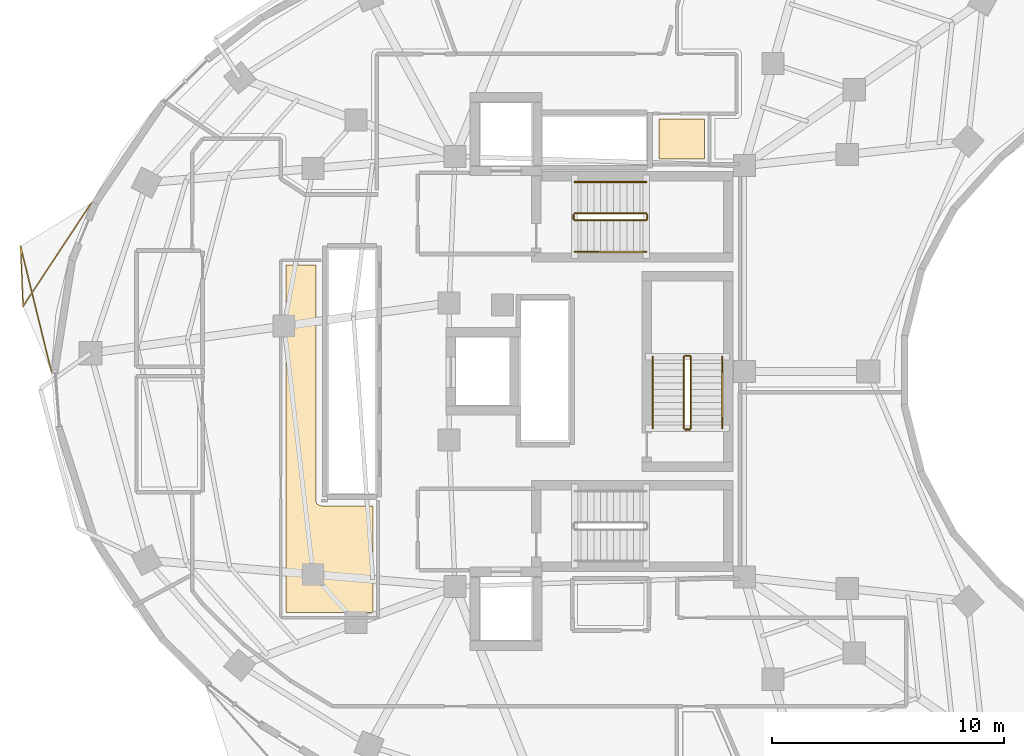
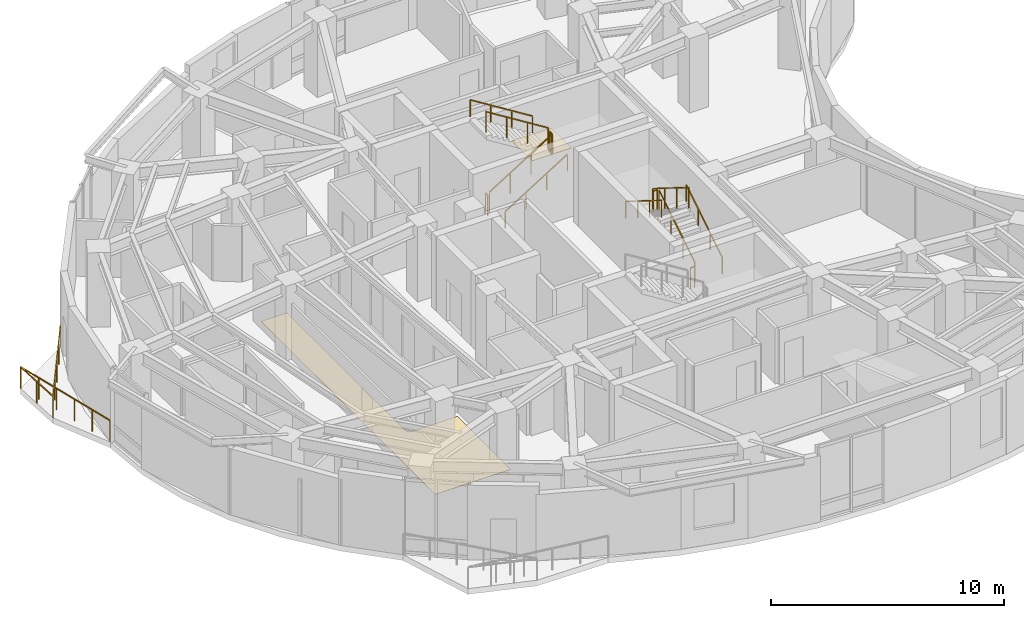
# One storey, part 12 of 13: 13 railings, 2 coverings.
"""IFC4 building model written with IfcOpenShell, lengths in metres."""

import ifcopenshell
import ifcopenshell.guid

model = None  # the IFC model being written
_history = None  # IfcOwnerHistory: only IFC2X3 demands one
_inside = {}  # id of a spatial element -> (the spatial element, [elements in it])
_under = {}  # id of a project, library or spatial element -> (it, [spatial elements below it])
_declared = {}  # id of a project -> (the project, [libraries it declares])
_typed = {}  # id of a type object -> (the type object, [elements of that type])
_made_of = {}  # id of a material, layer set ... -> (it, [elements and type objects made of it])


def new_model(schema):
    """Start an empty IFC model of exactly this schema.

    Asked for "IFC4X3", IfcOpenShell would pick the latest addendum, in which some entities
    have other attributes; the version numbers below select the first issue.
    IFC2X3 requires an IfcOwnerHistory on every rooted entity: one is made here for all.
    """
    global model, _history
    if schema == "IFC4X3":
        model = ifcopenshell.file(schema_version=(4, 3, 0, 0))
    else:
        model = ifcopenshell.file(schema=schema)
    _inside.clear()
    _under.clear()
    _declared.clear()
    _typed.clear()
    _made_of.clear()
    _history = None
    if model.schema == "IFC2X3":
        org = make("IfcOrganization", Name="unknown")
        user = make(
            "IfcPersonAndOrganization",
            ThePerson=make("IfcPerson", FamilyName="unknown"),
            TheOrganization=org,
        )
        app = make(
            "IfcApplication",
            ApplicationDeveloper=org,
            Version="unknown",
            ApplicationFullName="unknown",
            ApplicationIdentifier="unknown",
        )
        _history = make(
            "IfcOwnerHistory",
            OwningUser=user,
            OwningApplication=app,
            ChangeAction="ADDED",
            CreationDate=0,
        )
    return model


def make(cls, **values):
    """One entity of the class cls with the attributes given. An attribute that is None is left unset."""
    return model.create_entity(
        cls, **{name: value for name, value in values.items() if value is not None}
    )


def rooted(cls, **values):
    """An entity with a GlobalId (a new one), such as an element, a storey or a relation."""
    return make(cls, GlobalId=ifcopenshell.guid.new(), OwnerHistory=_history, **values)


def si_unit(unit_type, name, prefix=None):
    """IfcSIUnit, for example si_unit("LENGTHUNIT", "METRE", prefix="MILLI")."""
    return make("IfcSIUnit", UnitType=unit_type, Prefix=prefix, Name=name)


def assignment(units):
    """IfcUnitAssignment: the units of a project."""
    return None if units is None else make("IfcUnitAssignment", Units=units)


def point(xyz):
    """IfcCartesianPoint."""
    return None if xyz is None else make("IfcCartesianPoint", Coordinates=xyz)


def direction(xyz):
    """IfcDirection."""
    return None if xyz is None else make("IfcDirection", DirectionRatios=xyz)


def frame(location, z_axis=None, x_axis=None):
    """IfcAxis2Placement3D, a coordinate frame: its origin and axes. An axis left out is left unset."""
    return make(
        "IfcAxis2Placement3D",
        Location=point(location),
        Axis=direction(z_axis),
        RefDirection=direction(x_axis),
    )


def frame_2d(location, x_axis=None):
    """IfcAxis2Placement2D, a coordinate frame in the plane: its origin and x axis."""
    return make(
        "IfcAxis2Placement2D", Location=point(location), RefDirection=direction(x_axis)
    )


def origin():
    """The frame at (0, 0, 0) with its axes left unset."""
    return frame((0.0, 0.0, 0.0))


def origin_2d():
    """The frame at (0, 0) in the plane with its x axis left unset."""
    return frame_2d((0.0, 0.0))


def place(relative_to, where):
    """IfcLocalPlacement: puts the frame where relative to a parent placement (None: the world)."""
    return make(
        "IfcLocalPlacement", PlacementRelTo=relative_to, RelativePlacement=where
    )


def context(
    kind, dimensions, precision=None, world=None, true_north=None, identifier=None
):
    """IfcGeometricRepresentationContext, for example the 3D "Model" context."""
    return make(
        "IfcGeometricRepresentationContext",
        ContextIdentifier=identifier,
        ContextType=kind,
        CoordinateSpaceDimension=dimensions,
        Precision=precision,
        WorldCoordinateSystem=world,
        TrueNorth=true_north,
    )


def subcontext(parent, identifier, kind, view, scale=None):
    """IfcGeometricRepresentationSubContext, for example "Body" below "Model"."""
    return make(
        "IfcGeometricRepresentationSubContext",
        ContextIdentifier=identifier,
        ContextType=kind,
        ParentContext=parent,
        TargetScale=scale,
        TargetView=view,
    )


def project(units=None, contexts=None):
    """IfcProject with its units and contexts."""
    return rooted(
        "IfcProject",
        Name="project",
        RepresentationContexts=contexts,
        UnitsInContext=assignment(units),
    )


def spatial(cls, under=None, at=None, **own):
    """A site, building, storey or space (cls), placed at a placement, below another one or the project."""
    s = rooted(cls, ObjectPlacement=at, **own)
    if under is not None:
        _under.setdefault(under.id(), (under, []))[1].append(s)
    return s


def polyline(points):
    """IfcPolyline through the points."""
    return make("IfcPolyline", Points=[point(p) for p in points])


def profile(cls, at=None, kind="AREA", **sizes):
    """A parametric profile (cls). Its sizes go by their IFC names, for example OverallWidth=200.0."""
    return make(cls, ProfileType=kind, Position=at, **sizes)


def rectangle(**sizes):
    """IfcRectangleProfileDef."""
    return profile("IfcRectangleProfileDef", **sizes)


def outline(outer, holes=None, kind="AREA"):
    """IfcArbitraryClosedProfileDef: a profile drawn as a closed curve; with holes, ...WithVoids."""
    if holes is None:
        return make("IfcArbitraryClosedProfileDef", ProfileType=kind, OuterCurve=outer)
    return make(
        "IfcArbitraryProfileDefWithVoids",
        ProfileType=kind,
        OuterCurve=outer,
        InnerCurves=holes,
    )


def extrude(swept, where, along, depth):
    """IfcExtrudedAreaSolid: the profile swept, set in the frame where, extruded along a direction by depth."""
    return make(
        "IfcExtrudedAreaSolid",
        SweptArea=swept,
        Position=where,
        ExtrudedDirection=direction(along),
        Depth=depth,
    )


def shape(context_of_items, identifier, shape_type, items):
    """IfcShapeRepresentation: the items that make up one representation, for example the "Body"."""
    return make(
        "IfcShapeRepresentation",
        ContextOfItems=context_of_items,
        RepresentationIdentifier=identifier,
        RepresentationType=shape_type,
        Items=items,
    )


def material(Name=None, Category=None):
    """IfcMaterial."""
    return make("IfcMaterial", Name=Name, Category=Category)


def layer(
    of_material, thickness, ventilated=None, Name=None, Category=None, Priority=None
):
    """IfcMaterialLayer: one layer of a wall or slab, of a material (None: an air gap)."""
    return make(
        "IfcMaterialLayer",
        Material=of_material,
        LayerThickness=thickness,
        IsVentilated=ventilated,
        Name=Name,
        Category=Category,
        Priority=Priority,
    )


def layer_set(layers, Name=None):
    """IfcMaterialLayerSet."""
    return make("IfcMaterialLayerSet", MaterialLayers=layers, LayerSetName=Name)


def made_of(thing, what):
    """Note that an element or type object is made of a material, layer set ...; save() writes the relation."""
    if what is not None:
        _made_of.setdefault(what.id(), (what, []))[1].append(thing)
    return thing


def type_object(cls, material=None, **own):
    """A type object (cls), such as IfcWallType, which elements share."""
    return made_of(rooted(cls, **own), material)


def element(
    cls,
    number,
    at=None,
    inside=None,
    cuts=None,
    type_object=None,
    material=None,
    context=None,
    identifier="Body",
    shape_type=None,
    held_by="IfcProductDefinitionShape",
    body=None,
    shapes=None,
    **own,
):
    """One element of the class cls, such as IfcWall. Its Tag is "e" and its number.

    at: its placement. inside: the storey or other place that contains it. cuts: it is an
    opening in that element (IfcRelVoidsElement). A single representation is given by context,
    identifier, shape_type and body (its items); several are given by shapes. held_by: the class
    of the entity that holds the representations. save() writes the other relations.
    """
    e = rooted(cls, Tag="e%d" % number, ObjectPlacement=at, **own)
    if body is not None:
        shapes = [shape(context, identifier, shape_type, body)]
    if shapes is not None:
        e.Representation = make(held_by, Representations=shapes)
    if inside is not None:
        _inside.setdefault(inside.id(), (inside, []))[1].append(e)
    if cuts is not None:
        rooted(
            "IfcRelVoidsElement", RelatingBuildingElement=cuts, RelatedOpeningElement=e
        )
    if type_object is not None:
        _typed.setdefault(type_object.id(), (type_object, []))[1].append(e)
    return made_of(e, material)


def aggregate(whole, parts):
    """IfcRelAggregates: a whole, such as a stair, and the parts it consists of."""
    return rooted("IfcRelAggregates", RelatingObject=whole, RelatedObjects=parts)


def save(model, path):
    """Write the relations noted so far, then the file.

    IfcRelAggregates (storeys below a building ...), IfcRelContainedInSpatialStructure (elements
    in a storey), IfcRelDefinesByType, IfcRelAssociatesMaterial and IfcRelDeclares: one each for
    every whole, place, type object, material and project.
    """
    for whole, parts in _under.values():
        aggregate(whole, parts)
    for where, things in _inside.values():
        rooted(
            "IfcRelContainedInSpatialStructure",
            RelatedElements=things,
            RelatingStructure=where,
        )
    for kind, things in _typed.values():
        rooted("IfcRelDefinesByType", RelatedObjects=things, RelatingType=kind)
    for what, things in _made_of.values():
        rooted("IfcRelAssociatesMaterial", RelatedObjects=things, RelatingMaterial=what)
    for by, libraries in _declared.values():
        rooted("IfcRelDeclares", RelatingContext=by, RelatedDefinitions=libraries)
    model.write(path)


model = new_model("IFC4")

# Units and contexts
model_context = context("Model", 3, precision=1e-05, world=origin(), true_north=direction((0.0, 1.0)))
body_context = subcontext(model_context, "Body", "Model", "MODEL_VIEW")
ifc_project = project(units=[si_unit("LENGTHUNIT", "METRE"), si_unit("AREAUNIT", "SQUARE_METRE"), si_unit("VOLUMEUNIT", "CUBIC_METRE"), si_unit("PLANEANGLEUNIT", "RADIAN"), si_unit("MASSUNIT", "GRAM", prefix="KILO")], contexts=[model_context])

# Site, building, storey
site_placement = place(None, origin())
site = spatial("IfcSite", under=ifc_project, at=site_placement, CompositionType="ELEMENT")
building_placement = place(site_placement, origin())
building = spatial("IfcBuilding", under=site, at=building_placement, Name="Korentha Bioscience Tower", CompositionType="ELEMENT")
storey_placement = place(building_placement, frame((0.0, 0.0, 171.0)))
storey = spatial("IfcBuildingStorey", under=building, at=storey_placement, Name="L39", CompositionType="ELEMENT", Elevation=171.0)

# Covering
ifc_material_1 = material(Name="Vitrified Porcelain Tile", Category="ceramic")
ifc_layer_1 = layer(ifc_material_1, 0.014892578125, Name="Vitrified Porcelain Tile")
ifc_layer_set_1 = layer_set([ifc_layer_1], Name="Vitrified Porcelain Tile (FL-CER)")
covering_type_1 = type_object("IfcCoveringType", Name="Anti-Slip Ceramic Wet-Room Tile Flooring 15", PredefinedType="FLOORING", material=ifc_layer_set_1)
covering_1_placement = place(storey_placement, origin())
element("IfcCovering", 1, at=covering_1_placement, inside=storey, type_object=covering_type_1, Name="L39 Accessible Staff WC Floor Finish", PredefinedType="FLOORING", context=body_context, shape_type="SweptSolid", body=[
    extrude(outline(polyline([(33.8701171875, 36.1298828125), (33.8701171875, 37.8701171875), (35.830078125, 37.8701171875), (35.830078125, 36.1298828125), (33.8701171875, 36.1298828125)])), origin(), (0.0, 0.0, 1.0), 0.014892578125),
])

# Railings
ifc_material_2 = material(Name="Stainless Steel 304", Category="steel")
railing_type_1 = type_object("IfcRailingType", Name="Brushed Stainless Stair Handrail 900", PredefinedType="HANDRAIL", material=ifc_material_2)
railing_1_placement = place(storey_placement, frame((30.25, 32.14990234375, 0.175048828125)))
element("IfcRailing", 2, at=railing_1_placement, inside=storey, type_object=railing_type_1, Name="L39 ST-1 stair handrail 1", PredefinedType="HANDRAIL", context=body_context, shape_type="SweptSolid", body=[
    extrude(rectangle(XDim=0.048095703125, YDim=0.048095703125, at=origin_2d()), frame((0.0, 0.0, 0.8759765625), z_axis=(0.847998304005, 0.0, 0.529998940003), x_axis=(0.0, 1.0, 0.0)), (0.0, 0.0, 1.0), 3.632080078125),
    extrude(rectangle(XDim=0.0419921875, YDim=0.0419921875, at=origin_2d()), origin(), (0.0, 0.0, 1.0), 0.851806640625),
    extrude(rectangle(XDim=0.0419921875, YDim=0.0419921875, at=origin_2d()), frame((1.026611328125, 0.0, 0.6416015625)), (0.0, 0.0, 1.0), 0.851806640625),
    extrude(rectangle(XDim=0.0419921875, YDim=0.0419921875, at=origin_2d()), frame((2.053466796875, 0.0, 1.283447265625)), (0.0, 0.0, 1.0), 0.851806640625),
    extrude(rectangle(XDim=0.0419921875, YDim=0.0419921875, at=origin_2d()), frame((3.080078125, 0.0, 1.925048828125)), (0.0, 0.0, 1.0), 0.851806640625),
])
railing_2_placement = place(storey_placement, frame((33.330078125, 35.14990234375, 2.27490234375)))
element("IfcRailing", 3, at=railing_2_placement, inside=storey, type_object=railing_type_1, Name="L39 ST-1 stair handrail 2", PredefinedType="HANDRAIL", context=body_context, shape_type="SweptSolid", body=[
    extrude(rectangle(XDim=0.048095703125, YDim=0.048095703125, at=origin_2d()), frame((0.0, 0.0, 0.8759765625), z_axis=(-0.847998304005, 0.0, 0.529998940003), x_axis=(0.0, -1.0, 0.0)), (0.0, 0.0, 1.0), 3.632080078125),
    extrude(rectangle(XDim=0.0419921875, YDim=0.0419921875, at=origin_2d()), origin(), (0.0, 0.0, 1.0), 0.851806640625),
    extrude(rectangle(XDim=0.0419921875, YDim=0.0419921875, at=origin_2d()), frame((-1.026611328125, 0.0, 0.6416015625)), (0.0, 0.0, 1.0), 0.851806640625),
    extrude(rectangle(XDim=0.0419921875, YDim=0.0419921875, at=origin_2d()), frame((-2.053466796875, 0.0, 1.283447265625)), (0.0, 0.0, 1.0), 0.851806640625),
    extrude(rectangle(XDim=0.0419921875, YDim=0.0419921875, at=origin_2d()), frame((-3.080078125, 0.0, 1.925048828125)), (0.0, 0.0, 1.0), 0.851806640625),
])
railing_3_placement = place(storey_placement, frame((36.60009765625, 24.550048828125, 0.175048828125)))
element("IfcRailing", 4, at=railing_3_placement, inside=storey, type_object=railing_type_1, Name="L39 ST-3 stair handrail 1", PredefinedType="HANDRAIL", context=body_context, shape_type="SweptSolid", body=[
    extrude(rectangle(XDim=0.048095703125, YDim=0.048095703125, at=origin_2d()), frame((0.0, 0.0, 0.8759765625), z_axis=(0.0, 0.847979421464, 0.530029150871), x_axis=(-1.0, 0.0, 0.0)), (0.0, 0.0, 1.0), 3.632080078125),
    extrude(rectangle(XDim=0.0419921875, YDim=0.0419921875, at=origin_2d()), origin(), (0.0, 0.0, 1.0), 0.851806640625),
    extrude(rectangle(XDim=0.0419921875, YDim=0.0419921875, at=origin_2d()), frame((0.0, 1.026611328125, 0.6416015625)), (0.0, 0.0, 1.0), 0.851806640625),
    extrude(rectangle(XDim=0.0419921875, YDim=0.0419921875, at=origin_2d()), frame((0.0, 2.05322265625, 1.283447265625)), (0.0, 0.0, 1.0), 0.851806640625),
    extrude(rectangle(XDim=0.0419921875, YDim=0.0419921875, at=origin_2d()), frame((0.0, 3.079833984375, 1.925048828125)), (0.0, 0.0, 1.0), 0.851806640625),
])
railing_4_placement = place(storey_placement, frame((33.60009765625, 27.6298828125, 2.27490234375)))
element("IfcRailing", 5, at=railing_4_placement, inside=storey, type_object=railing_type_1, Name="L39 ST-3 stair handrail 2", PredefinedType="HANDRAIL", context=body_context, shape_type="SweptSolid", body=[
    extrude(rectangle(XDim=0.048095703125, YDim=0.048095703125, at=origin_2d()), frame((0.0, 0.0, 0.8759765625), z_axis=(0.0, -0.847979421464, 0.530029150871), x_axis=(1.0, 0.0, 0.0)), (0.0, 0.0, 1.0), 3.632080078125),
    extrude(rectangle(XDim=0.0419921875, YDim=0.0419921875, at=origin_2d()), origin(), (0.0, 0.0, 1.0), 0.851806640625),
    extrude(rectangle(XDim=0.0419921875, YDim=0.0419921875, at=origin_2d()), frame((0.0, -1.026611328125, 0.6416015625)), (0.0, 0.0, 1.0), 0.851806640625),
    extrude(rectangle(XDim=0.0419921875, YDim=0.0419921875, at=origin_2d()), frame((0.0, -2.05322265625, 1.283447265625)), (0.0, 0.0, 1.0), 0.851806640625),
    extrude(rectangle(XDim=0.0419921875, YDim=0.0419921875, at=origin_2d()), frame((0.0, -3.079833984375, 1.925048828125)), (0.0, 0.0, 1.0), 0.851806640625),
])
ifc_material_3 = material(Name="Laminated Tempered Safety Glass", Category="glass")
railing_type_2 = type_object("IfcRailingType", Name="Laminated Glass Balcony Guardrail 1150", PredefinedType="BALUSTRADE", material=ifc_material_3)
railing_5_placement = place(storey_placement, frame((9.454833984375, 34.246337890625, 0.0)))
element("IfcRailing", 6, at=railing_5_placement, inside=storey, type_object=railing_type_2, Name="L39 Balcony Guardrail 02", PredefinedType="BALUSTRADE", context=body_context, shape_type="SweptSolid", body=[
    extrude(rectangle(XDim=0.048095703125, YDim=0.048095703125, at=origin_2d()), frame((0.0, 0.0, 1.1259765625), z_axis=(-0.550932164864, -0.834550028289, 0.0), x_axis=(0.834550028289, -0.550932164864, 0.0)), (0.0, 0.0, 1.0), 5.3310546875),
    extrude(rectangle(XDim=0.048095703125, YDim=0.048095703125, at=origin_2d()), frame((-2.93701171875, -4.448974609375, 1.1259765625), z_axis=(-0.040615331827, 0.99917485698, 0.0), x_axis=(-0.99917485698, -0.040615331827, 0.0)), (0.0, 0.0, 1.0), 2.5908203125),
    extrude(rectangle(XDim=0.048095703125, YDim=0.048095703125, at=origin_2d()), frame((-3.042236328125, -1.8603515625, 1.1259765625), z_axis=(0.23862888536, -0.971110835627, 0.0), x_axis=(0.971110835627, 0.23862888536, 0.0)), (0.0, 0.0, 1.0), 5.546142578125),
    extrude(rectangle(XDim=0.0419921875, YDim=0.0419921875, at=origin_2d()), origin(), (0.0, 0.0, 1.0), 1.101806640625),
    extrude(rectangle(XDim=0.0419921875, YDim=0.0419921875, at=origin_2d()), frame((-0.734375, -1.1123046875, 0.0)), (0.0, 0.0, 1.0), 1.101806640625),
    extrude(rectangle(XDim=0.0419921875, YDim=0.0419921875, at=origin_2d()), frame((-1.468505859375, -2.224609375, 0.0)), (0.0, 0.0, 1.0), 1.101806640625),
    extrude(rectangle(XDim=0.0419921875, YDim=0.0419921875, at=origin_2d()), frame((-2.20263671875, -3.336669921875, 0.0)), (0.0, 0.0, 1.0), 1.101806640625),
    extrude(rectangle(XDim=0.0419921875, YDim=0.0419921875, at=origin_2d()), frame((-2.93701171875, -4.448974609375, 0.0)), (0.0, 0.0, 1.0), 1.101806640625),
    extrude(rectangle(XDim=0.0419921875, YDim=0.0419921875, at=origin_2d()), frame((-2.98974609375, -3.15478515625, 0.0)), (0.0, 0.0, 1.0), 1.101806640625),
    extrude(rectangle(XDim=0.0419921875, YDim=0.0419921875, at=origin_2d()), frame((-3.042236328125, -1.8603515625, 0.0)), (0.0, 0.0, 1.0), 1.101806640625),
    extrude(rectangle(XDim=0.0419921875, YDim=0.0419921875, at=origin_2d()), frame((-2.777587890625, -2.9375, 0.0)), (0.0, 0.0, 1.0), 1.101806640625),
    extrude(rectangle(XDim=0.0419921875, YDim=0.0419921875, at=origin_2d()), frame((-2.512939453125, -4.0146484375, 0.0)), (0.0, 0.0, 1.0), 1.101806640625),
    extrude(rectangle(XDim=0.0419921875, YDim=0.0419921875, at=origin_2d()), frame((-2.248046875, -5.092041015625, 0.0)), (0.0, 0.0, 1.0), 1.101806640625),
    extrude(rectangle(XDim=0.0419921875, YDim=0.0419921875, at=origin_2d()), frame((-1.9833984375, -6.169189453125, 0.0)), (0.0, 0.0, 1.0), 1.101806640625),
    extrude(rectangle(XDim=0.0419921875, YDim=0.0419921875, at=origin_2d()), frame((-1.71875, -7.246337890625, 0.0)), (0.0, 0.0, 1.0), 1.101806640625),
])
ifc_material_4 = material(Name="Painted Steel S275", Category="steel")
railing_type_3 = type_object("IfcRailingType", Name="Painted Steel Stair Well Guardrail 1100", PredefinedType="GUARDRAIL", material=ifc_material_4)
railing_6_placement = place(storey_placement, frame((30.25, 33.5, 0.175048828125)))
element("IfcRailing", 7, at=railing_6_placement, inside=storey, type_object=railing_type_3, Name="L39 ST-1 stair guard 1", PredefinedType="GUARDRAIL", context=body_context, shape_type="SweptSolid", body=[
    extrude(rectangle(XDim=0.048095703125, YDim=0.048095703125, at=origin_2d()), frame((0.0, 0.0, 1.076171875), z_axis=(0.847998304005, 0.0, 0.529998940003), x_axis=(0.0, 1.0, 0.0)), (0.0, 0.0, 1.0), 3.632080078125),
    extrude(rectangle(XDim=0.0419921875, YDim=0.0419921875, at=origin_2d()), origin(), (0.0, 0.0, 1.0), 1.052001953125),
    extrude(rectangle(XDim=0.0419921875, YDim=0.0419921875, at=origin_2d()), frame((1.026611328125, 0.0, 0.6416015625)), (0.0, 0.0, 1.0), 1.052001953125),
    extrude(rectangle(XDim=0.0419921875, YDim=0.0419921875, at=origin_2d()), frame((2.053466796875, 0.0, 1.283447265625)), (0.0, 0.0, 1.0), 1.052001953125),
    extrude(rectangle(XDim=0.0419921875, YDim=0.0419921875, at=origin_2d()), frame((3.080078125, 0.0, 1.925048828125)), (0.0, 0.0, 1.0), 1.052001953125),
])
railing_7_placement = place(storey_placement, frame((33.3798828125, 33.550048828125, 2.10009765625)))
element("IfcRailing", 8, at=railing_7_placement, inside=storey, type_object=railing_type_3, Name="L39 ST-1 stair guard 2", PredefinedType="GUARDRAIL", context=body_context, shape_type="SweptSolid", body=[
    extrude(rectangle(XDim=0.048095703125, YDim=0.048095703125, at=origin_2d()), frame((0.0, 0.0, 1.076171875), z_axis=(0.0, 1.0, 0.0), x_axis=(-1.0, 0.0, 0.0)), (0.0, 0.0, 1.0), 0.199951171875),
    extrude(rectangle(XDim=0.0419921875, YDim=0.0419921875, at=origin_2d()), origin(), (0.0, 0.0, 1.0), 1.052001953125),
    extrude(rectangle(XDim=0.0419921875, YDim=0.0419921875, at=origin_2d()), frame((0.0, 0.199951171875, 0.0)), (0.0, 0.0, 1.0), 1.052001953125),
])
railing_8_placement = place(storey_placement, frame((33.330078125, 33.800048828125, 2.27490234375)))
element("IfcRailing", 9, at=railing_8_placement, inside=storey, type_object=railing_type_3, Name="L39 ST-1 stair guard 3", PredefinedType="GUARDRAIL", context=body_context, shape_type="SweptSolid", body=[
    extrude(rectangle(XDim=0.048095703125, YDim=0.048095703125, at=origin_2d()), frame((0.0, 0.0, 1.076171875), z_axis=(-0.847998304005, 0.0, 0.529998940003), x_axis=(0.0, -1.0, 0.0)), (0.0, 0.0, 1.0), 3.632080078125),
    extrude(rectangle(XDim=0.0419921875, YDim=0.0419921875, at=origin_2d()), origin(), (0.0, 0.0, 1.0), 1.052001953125),
    extrude(rectangle(XDim=0.0419921875, YDim=0.0419921875, at=origin_2d()), frame((-1.026611328125, 0.0, 0.6416015625)), (0.0, 0.0, 1.0), 1.052001953125),
    extrude(rectangle(XDim=0.0419921875, YDim=0.0419921875, at=origin_2d()), frame((-2.053466796875, 0.0, 1.283447265625)), (0.0, 0.0, 1.0), 1.052001953125),
    extrude(rectangle(XDim=0.0419921875, YDim=0.0419921875, at=origin_2d()), frame((-3.080078125, 0.0, 1.925048828125)), (0.0, 0.0, 1.0), 1.052001953125),
])
railing_9_placement = place(storey_placement, frame((30.199951171875, 33.550048828125, 0.0)))
element("IfcRailing", 10, at=railing_9_placement, inside=storey, type_object=railing_type_3, Name="L39 ST-1 stair guard 4", PredefinedType="GUARDRAIL", context=body_context, shape_type="SweptSolid", body=[
    extrude(rectangle(XDim=0.048095703125, YDim=0.048095703125, at=origin_2d()), frame((0.0, 0.0, 1.076171875), z_axis=(0.0, 1.0, 0.0), x_axis=(-1.0, 0.0, 0.0)), (0.0, 0.0, 1.0), 0.199951171875),
    extrude(rectangle(XDim=0.0419921875, YDim=0.0419921875, at=origin_2d()), origin(), (0.0, 0.0, 1.0), 1.052001953125),
    extrude(rectangle(XDim=0.0419921875, YDim=0.0419921875, at=origin_2d()), frame((0.0, 0.199951171875, 0.0)), (0.0, 0.0, 1.0), 1.052001953125),
])
railing_10_placement = place(storey_placement, frame((35.25, 24.550048828125, 0.175048828125)))
element("IfcRailing", 11, at=railing_10_placement, inside=storey, type_object=railing_type_3, Name="L39 ST-3 stair guard 1", PredefinedType="GUARDRAIL", context=body_context, shape_type="SweptSolid", body=[
    extrude(rectangle(XDim=0.048095703125, YDim=0.048095703125, at=origin_2d()), frame((0.0, 0.0, 1.076171875), z_axis=(0.0, 0.847979421464, 0.530029150871), x_axis=(-1.0, 0.0, 0.0)), (0.0, 0.0, 1.0), 3.632080078125),
    extrude(rectangle(XDim=0.0419921875, YDim=0.0419921875, at=origin_2d()), origin(), (0.0, 0.0, 1.0), 1.052001953125),
    extrude(rectangle(XDim=0.0419921875, YDim=0.0419921875, at=origin_2d()), frame((0.0, 1.026611328125, 0.6416015625)), (0.0, 0.0, 1.0), 1.052001953125),
    extrude(rectangle(XDim=0.0419921875, YDim=0.0419921875, at=origin_2d()), frame((0.0, 2.05322265625, 1.283447265625)), (0.0, 0.0, 1.0), 1.052001953125),
    extrude(rectangle(XDim=0.0419921875, YDim=0.0419921875, at=origin_2d()), frame((0.0, 3.079833984375, 1.925048828125)), (0.0, 0.0, 1.0), 1.052001953125),
])
railing_11_placement = place(storey_placement, frame((35.199951171875, 27.679931640625, 2.10009765625)))
element("IfcRailing", 12, at=railing_11_placement, inside=storey, type_object=railing_type_3, Name="L39 ST-3 stair guard 2", PredefinedType="GUARDRAIL", context=body_context, shape_type="SweptSolid", body=[
    extrude(rectangle(XDim=0.048095703125, YDim=0.048095703125, at=origin_2d()), frame((0.0, 0.0, 1.076171875), z_axis=(-1.0, 0.0, 0.0), x_axis=(0.0, -1.0, 0.0)), (0.0, 0.0, 1.0), 0.199951171875),
    extrude(rectangle(XDim=0.0419921875, YDim=0.0419921875, at=origin_2d()), origin(), (0.0, 0.0, 1.0), 1.052001953125),
    extrude(rectangle(XDim=0.0419921875, YDim=0.0419921875, at=origin_2d()), frame((-0.199951171875, 0.0, 0.0)), (0.0, 0.0, 1.0), 1.052001953125),
])
railing_12_placement = place(storey_placement, frame((34.949951171875, 27.6298828125, 2.27490234375)))
element("IfcRailing", 13, at=railing_12_placement, inside=storey, type_object=railing_type_3, Name="L39 ST-3 stair guard 3", PredefinedType="GUARDRAIL", context=body_context, shape_type="SweptSolid", body=[
    extrude(rectangle(XDim=0.048095703125, YDim=0.048095703125, at=origin_2d()), frame((0.0, 0.0, 1.076171875), z_axis=(0.0, -0.847979421464, 0.530029150871), x_axis=(1.0, 0.0, 0.0)), (0.0, 0.0, 1.0), 3.632080078125),
    extrude(rectangle(XDim=0.0419921875, YDim=0.0419921875, at=origin_2d()), origin(), (0.0, 0.0, 1.0), 1.052001953125),
    extrude(rectangle(XDim=0.0419921875, YDim=0.0419921875, at=origin_2d()), frame((0.0, -1.026611328125, 0.6416015625)), (0.0, 0.0, 1.0), 1.052001953125),
    extrude(rectangle(XDim=0.0419921875, YDim=0.0419921875, at=origin_2d()), frame((0.0, -2.05322265625, 1.283447265625)), (0.0, 0.0, 1.0), 1.052001953125),
    extrude(rectangle(XDim=0.0419921875, YDim=0.0419921875, at=origin_2d()), frame((0.0, -3.079833984375, 1.925048828125)), (0.0, 0.0, 1.0), 1.052001953125),
])
railing_13_placement = place(storey_placement, frame((35.199951171875, 24.5, 0.0)))
element("IfcRailing", 14, at=railing_13_placement, inside=storey, type_object=railing_type_3, Name="L39 ST-3 stair guard 4", PredefinedType="GUARDRAIL", context=body_context, shape_type="SweptSolid", body=[
    extrude(rectangle(XDim=0.048095703125, YDim=0.048095703125, at=origin_2d()), frame((0.0, 0.0, 1.076171875), z_axis=(-1.0, 0.0, 0.0), x_axis=(0.0, -1.0, 0.0)), (0.0, 0.0, 1.0), 0.199951171875),
    extrude(rectangle(XDim=0.0419921875, YDim=0.0419921875, at=origin_2d()), origin(), (0.0, 0.0, 1.0), 1.052001953125),
    extrude(rectangle(XDim=0.0419921875, YDim=0.0419921875, at=origin_2d()), frame((-0.199951171875, 0.0, 0.0)), (0.0, 0.0, 1.0), 1.052001953125),
])

# Covering
ifc_material_5 = material(Name="Chemical-Resistant Epoxy Resin", Category="polymer")
ifc_layer_2 = layer(ifc_material_5, 0.011962890625, Name="Chemical-Resistant Epoxy Resin")
ifc_layer_set_2 = layer_set([ifc_layer_2], Name="Chemical-Resistant Epoxy Resin (FL-EPX)")
covering_type_2 = type_object("IfcCoveringType", Name="Seamless Epoxy Laboratory Flooring 12", PredefinedType="FLOORING", material=ifc_layer_set_2)
covering_2_placement = place(storey_placement, origin())
element("IfcCovering", 15, at=covering_2_placement, inside=storey, type_object=covering_type_2, Name="L39 Research Colloquium Seminar Room 01 Floor Finish", PredefinedType="FLOORING", context=body_context, shape_type="SweptSolid", body=[
    extrude(outline(polyline([(19.1201171875, 31.570068359375), (19.1201171875, 21.449951171875), (19.133544921875, 21.3720703125), (19.17919921875, 21.2958984375), (19.252197265625, 21.241943359375), (19.339111328125, 21.22021484375), (21.570068359375, 21.219970703125), (21.570068359375, 16.6298828125), (17.830078125, 16.6298828125), (17.830078125, 31.570068359375), (19.1201171875, 31.570068359375)])), origin(), (0.0, 0.0, 1.0), 0.011962890625),
])

save(model, "model.ifc")
